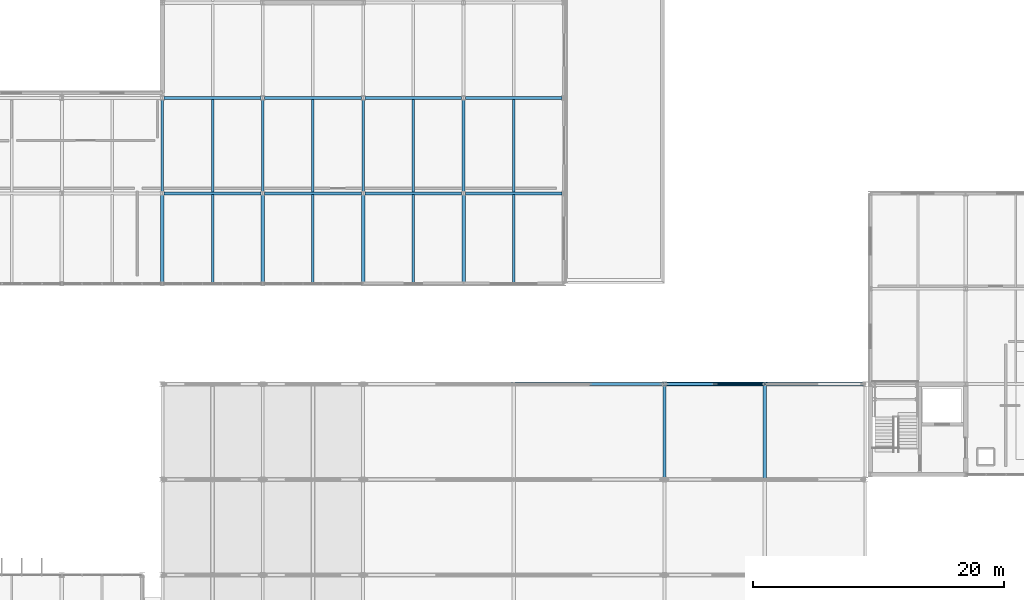
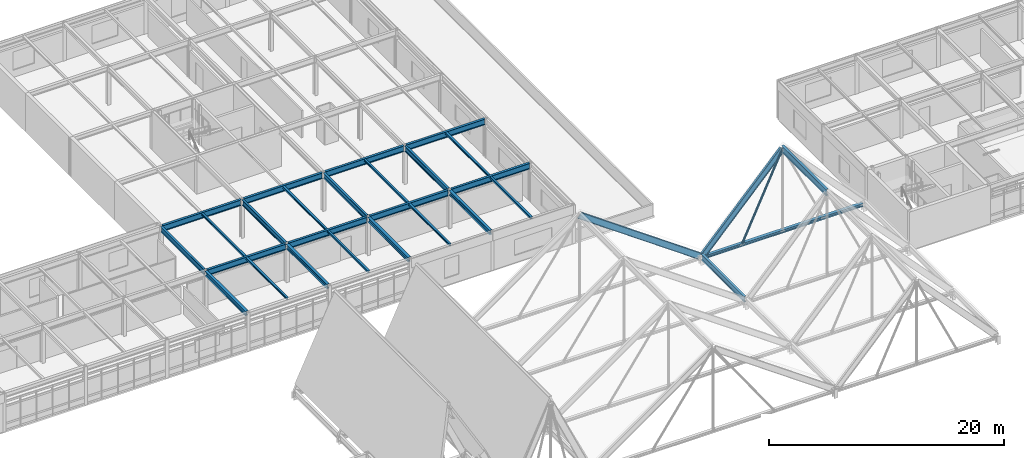
# One storey, part 46 of 85: 28 beams, 2 members.
"""IFC4 building model written with IfcOpenShell, lengths in metres."""

from ifc_helpers import new_model, si_unit, direction, frame, origin, origin_2d, place, context, subcontext, project, spatial, hollow_circle, i_section, extrude, material, material_profile, profile_set, type_object, element, save


model = new_model("IFC4")

# Units and contexts
model_context = context("Model", 3, precision=1e-05, world=origin(), true_north=direction((0.0, 1.0)))
body_context = subcontext(model_context, "Body", "Model", "MODEL_VIEW")
ifc_project = project(units=[si_unit("LENGTHUNIT", "METRE"), si_unit("AREAUNIT", "SQUARE_METRE"), si_unit("VOLUMEUNIT", "CUBIC_METRE"), si_unit("PLANEANGLEUNIT", "RADIAN"), si_unit("MASSUNIT", "GRAM", prefix="KILO")], contexts=[model_context])

# Site, building, storey
site_placement = place(None, origin())
site = spatial("IfcSite", under=ifc_project, at=site_placement, CompositionType="ELEMENT")
building_placement = place(site_placement, origin())
building = spatial("IfcBuilding", under=site, at=building_placement, Name="Zulena Civic Courthouse", CompositionType="ELEMENT")
storey_placement = place(building_placement, frame((0.0, 0.0, 25.199951171875)))
storey = spatial("IfcBuildingStorey", under=building, at=storey_placement, Name="L05", CompositionType="ELEMENT", Elevation=25.199951171875)

# Member
ifc_material_1 = material(Name="Steel ASTM A992 Grade 50", Category="steel")
ifc_material_profile_1 = material_profile(ifc_material_1, i_section(OverallWidth=0.30908203125, OverallDepth=0.322998046875, WebThickness=0.013916015625, FlangeThickness=0.02294921875, FilletRadius=0.01513671875, at=origin_2d()), Name="W12X96")
ifc_profile_set_1 = profile_set([ifc_material_profile_1], Name="Steel ASTM A992 Grade 50")
member_type_1 = type_object("IfcMemberType", Name="Chord_W12X96", PredefinedType="CHORD", material=ifc_profile_set_1)
member_1_placement = place(storey_placement, frame((108.139892578125, 38.0, 0.496337890625), z_axis=(1.0, 0.0, 0.0), x_axis=(0.0, 1.0, 0.0)))
element("IfcMember", 1, at=member_1_placement, inside=storey, type_object=member_type_1, Name="mem:fold:tie:04:38.0", PredefinedType="CHORD", context=body_context, shape_type="SweptSolid", body=[
    extrude(i_section(OverallWidth=0.30908203125, OverallDepth=0.322998046875, WebThickness=0.013916015625, FlangeThickness=0.02294921875, FilletRadius=0.01513671875, at=origin_2d()), origin(), (0.0, 0.0, 1.0), 15.72021484375),
])

# Beams
ifc_material_profile_2 = material_profile(ifc_material_1, i_section(OverallWidth=0.214111328125, OverallDepth=0.549072265625, WebThickness=0.0146484375, FlangeThickness=0.023681640625, FilletRadius=0.0126953125, at=origin_2d()), Name="W21X93")
ifc_profile_set_2 = profile_set([ifc_material_profile_2], Name="Steel ASTM A992 Grade 50")
beam_type_1 = type_object("IfcBeamType", Name="Girder_W21X93", PredefinedType="BEAM", material=ifc_profile_set_2)
for number, where, z_axis, x_axis, name in (
    (2, (68.0, 53.344970703125, 3.720458984375), (0.0, 1.0, 0.0), (-1.0, 0.0, 0.0), "beam:Y:V5:L05:68.0:53.2_60.8"),
    (3, (76.0, 53.344970703125, 3.720458984375), (0.0, 1.0, 0.0), (-1.0, 0.0, 0.0), "beam:Y:V5:L05:76.0:53.2_60.8"),
    (4, (84.0, 53.344970703125, 3.720458984375), (0.0, 1.0, 0.0), (-1.0, 0.0, 0.0), "beam:Y:V5:L05:84.0:53.2_60.8"),
    (5, (92.0, 53.344970703125, 3.720458984375), (0.0, 1.0, 0.0), (-1.0, 0.0, 0.0), "beam:Y:V5:L05:92.0:53.2_60.8"),
):
    element("IfcBeam", number, at=place(storey_placement, frame(where, z_axis=z_axis, x_axis=x_axis)), inside=storey, type_object=beam_type_1, Name=name, PredefinedType="BEAM", context=body_context, shape_type="SweptSolid", body=[
        extrude(i_section(OverallWidth=0.214111328125, OverallDepth=0.549072265625, WebThickness=0.0146484375, FlangeThickness=0.023681640625, FilletRadius=0.0126953125, at=origin_2d()), origin(), (0.0, 0.0, 1.0), 7.31005859375),
    ])
ifc_material_profile_3 = material_profile(ifc_material_1, i_section(OverallWidth=0.22802734375, OverallDepth=0.60693359375, WebThickness=0.01123046875, FlangeThickness=0.017333984375, FilletRadius=0.0126953125, at=origin_2d()), Name="W24X76")
ifc_profile_set_3 = profile_set([ifc_material_profile_3], Name="Steel ASTM A992 Grade 50")
beam_type_2 = type_object("IfcBeamType", Name="Girder_W24X76", PredefinedType="BEAM", material=ifc_profile_set_3)
for number, where, z_axis, x_axis, name in (
    (6, (68.14501953125, 53.199951171875, 3.691650390625), (1.0, 0.0, 0.0), (0.0, 1.0, 0.0), "beam:X:V5:L05:53.2:68.0_76.0"),
    (7, (76.14501953125, 53.199951171875, 3.691650390625), (1.0, 0.0, 0.0), (0.0, 1.0, 0.0), "beam:X:V5:L05:53.2:76.0_84.0"),
    (8, (84.14501953125, 53.199951171875, 3.691650390625), (1.0, 0.0, 0.0), (0.0, 1.0, 0.0), "beam:X:V5:L05:53.2:84.0_92.0"),
    (9, (92.14501953125, 53.199951171875, 3.691650390625), (1.0, 0.0, 0.0), (0.0, 1.0, 0.0), "beam:X:V5:L05:53.2:92.0_100.0"),
    (10, (68.14501953125, 60.800048828125, 3.691650390625), (1.0, 0.0, 0.0), (0.0, 1.0, 0.0), "beam:X:V5:L05:60.8:68.0_76.0"),
    (11, (76.14501953125, 60.800048828125, 3.691650390625), (1.0, 0.0, 0.0), (0.0, 1.0, 0.0), "beam:X:V5:L05:60.8:76.0_84.0"),
    (12, (84.14501953125, 60.800048828125, 3.691650390625), (1.0, 0.0, 0.0), (0.0, 1.0, 0.0), "beam:X:V5:L05:60.8:84.0_92.0"),
    (13, (92.14501953125, 60.800048828125, 3.691650390625), (1.0, 0.0, 0.0), (0.0, 1.0, 0.0), "beam:X:V5:L05:60.8:92.0_100.0"),
):
    element("IfcBeam", number, at=place(storey_placement, frame(where, z_axis=z_axis, x_axis=x_axis)), inside=storey, type_object=beam_type_2, Name=name, PredefinedType="BEAM", context=body_context, shape_type="SweptSolid", body=[
        extrude(i_section(OverallWidth=0.22802734375, OverallDepth=0.60693359375, WebThickness=0.01123046875, FlangeThickness=0.017333984375, FilletRadius=0.0126953125, at=origin_2d()), origin(), (0.0, 0.0, 1.0), 7.7099609375),
    ])
ifc_material_profile_4 = material_profile(ifc_material_1, i_section(OverallWidth=0.202880859375, OverallDepth=0.202880859375, WebThickness=0.007080078125, FlangeThickness=0.010986328125, FilletRadius=0.007568359375, at=origin_2d()), Name="W8X31")
ifc_profile_set_4 = profile_set([ifc_material_profile_4], Name="Steel ASTM A992 Grade 50")
beam_type_3 = type_object("IfcBeamType", Name="Joist_W8X31", PredefinedType="JOIST", material=ifc_profile_set_4)
beam_1_placement = place(storey_placement, frame((72.0, 46.10498046875, 3.8935546875), z_axis=(0.0, 1.0, 0.0), x_axis=(-1.0, 0.0, 0.0)))
element("IfcBeam", 14, at=beam_1_placement, inside=storey, type_object=beam_type_3, Name="joist:V5:L05:72.00:46.0_53.2", PredefinedType="JOIST", context=body_context, shape_type="SweptSolid", body=[
    extrude(i_section(OverallWidth=0.202880859375, OverallDepth=0.202880859375, WebThickness=0.007080078125, FlangeThickness=0.010986328125, FilletRadius=0.007568359375, at=origin_2d()), origin(), (0.0, 0.0, 1.0), 6.989990234375),
])
beam_2_placement = place(storey_placement, frame((72.0, 53.304931640625, 3.8935546875), z_axis=(0.0, 1.0, 0.0), x_axis=(-1.0, 0.0, 0.0)))
element("IfcBeam", 15, at=beam_2_placement, inside=storey, type_object=beam_type_3, Name="joist:V5:L05:72.00:53.2_60.8", PredefinedType="JOIST", context=body_context, shape_type="SweptSolid", body=[
    extrude(i_section(OverallWidth=0.202880859375, OverallDepth=0.202880859375, WebThickness=0.007080078125, FlangeThickness=0.010986328125, FilletRadius=0.007568359375, at=origin_2d()), origin(), (0.0, 0.0, 1.0), 7.39013671875),
])
beam_3_placement = place(storey_placement, frame((80.0, 46.10498046875, 3.8935546875), z_axis=(0.0, 1.0, 0.0), x_axis=(-1.0, 0.0, 0.0)))
element("IfcBeam", 16, at=beam_3_placement, inside=storey, type_object=beam_type_3, Name="joist:V5:L05:80.00:46.0_53.2", PredefinedType="JOIST", context=body_context, shape_type="SweptSolid", body=[
    extrude(i_section(OverallWidth=0.202880859375, OverallDepth=0.202880859375, WebThickness=0.007080078125, FlangeThickness=0.010986328125, FilletRadius=0.007568359375, at=origin_2d()), origin(), (0.0, 0.0, 1.0), 6.989990234375),
])
beam_4_placement = place(storey_placement, frame((80.0, 53.304931640625, 3.8935546875), z_axis=(0.0, 1.0, 0.0), x_axis=(-1.0, 0.0, 0.0)))
element("IfcBeam", 17, at=beam_4_placement, inside=storey, type_object=beam_type_3, Name="joist:V5:L05:80.00:53.2_60.8", PredefinedType="JOIST", context=body_context, shape_type="SweptSolid", body=[
    extrude(i_section(OverallWidth=0.202880859375, OverallDepth=0.202880859375, WebThickness=0.007080078125, FlangeThickness=0.010986328125, FilletRadius=0.007568359375, at=origin_2d()), origin(), (0.0, 0.0, 1.0), 7.39013671875),
])
beam_5_placement = place(storey_placement, frame((88.0, 46.10498046875, 3.8935546875), z_axis=(0.0, 1.0, 0.0), x_axis=(-1.0, 0.0, 0.0)))
element("IfcBeam", 18, at=beam_5_placement, inside=storey, type_object=beam_type_3, Name="joist:V5:L05:88.00:46.0_53.2", PredefinedType="JOIST", context=body_context, shape_type="SweptSolid", body=[
    extrude(i_section(OverallWidth=0.202880859375, OverallDepth=0.202880859375, WebThickness=0.007080078125, FlangeThickness=0.010986328125, FilletRadius=0.007568359375, at=origin_2d()), origin(), (0.0, 0.0, 1.0), 6.989990234375),
])
beam_6_placement = place(storey_placement, frame((88.0, 53.304931640625, 3.8935546875), z_axis=(0.0, 1.0, 0.0), x_axis=(-1.0, 0.0, 0.0)))
element("IfcBeam", 19, at=beam_6_placement, inside=storey, type_object=beam_type_3, Name="joist:V5:L05:88.00:53.2_60.8", PredefinedType="JOIST", context=body_context, shape_type="SweptSolid", body=[
    extrude(i_section(OverallWidth=0.202880859375, OverallDepth=0.202880859375, WebThickness=0.007080078125, FlangeThickness=0.010986328125, FilletRadius=0.007568359375, at=origin_2d()), origin(), (0.0, 0.0, 1.0), 7.39013671875),
])
beam_7_placement = place(storey_placement, frame((96.0, 46.10498046875, 3.8935546875), z_axis=(0.0, 1.0, 0.0), x_axis=(-1.0, 0.0, 0.0)))
element("IfcBeam", 20, at=beam_7_placement, inside=storey, type_object=beam_type_3, Name="joist:V5:L05:96.00:46.0_53.2", PredefinedType="JOIST", context=body_context, shape_type="SweptSolid", body=[
    extrude(i_section(OverallWidth=0.202880859375, OverallDepth=0.202880859375, WebThickness=0.007080078125, FlangeThickness=0.010986328125, FilletRadius=0.007568359375, at=origin_2d()), origin(), (0.0, 0.0, 1.0), 6.989990234375),
])
beam_8_placement = place(storey_placement, frame((96.0, 53.304931640625, 3.8935546875), z_axis=(0.0, 1.0, 0.0), x_axis=(-1.0, 0.0, 0.0)))
element("IfcBeam", 21, at=beam_8_placement, inside=storey, type_object=beam_type_3, Name="joist:V5:L05:96.00:53.2_60.8", PredefinedType="JOIST", context=body_context, shape_type="SweptSolid", body=[
    extrude(i_section(OverallWidth=0.202880859375, OverallDepth=0.202880859375, WebThickness=0.007080078125, FlangeThickness=0.010986328125, FilletRadius=0.007568359375, at=origin_2d()), origin(), (0.0, 0.0, 1.0), 7.39013671875),
])
ifc_material_profile_5 = material_profile(ifc_material_1, i_section(OverallWidth=0.22802734375, OverallDepth=0.60693359375, WebThickness=0.01123046875, FlangeThickness=0.017333984375, FilletRadius=0.0126953125, at=origin_2d()), Name="W24X76")
ifc_profile_set_5 = profile_set([ifc_material_profile_5], Name="Steel ASTM A992 Grade 50")
beam_type_4 = type_object("IfcBeamType", Name="RoofRafter_W24X76", PredefinedType="BEAM", material=ifc_profile_set_5)
beam_9_placement = place(storey_placement, frame((96.010009765625, 38.0, 9.096435546875), z_axis=(0.815826895682, 0.0, -0.578296183873), x_axis=(0.0, 1.0, 0.0)))
element("IfcBeam", 22, at=beam_9_placement, inside=storey, type_object=beam_type_4, Name="beam:fold:rafE:03:38.0", PredefinedType="BEAM", context=body_context, shape_type="SweptSolid", body=[
    extrude(i_section(OverallWidth=0.22802734375, OverallDepth=0.60693359375, WebThickness=0.01123046875, FlangeThickness=0.017333984375, FilletRadius=0.0126953125, at=origin_2d()), origin(), (0.0, 0.0, 1.0), 14.525146484375),
])
beam_10_placement = place(storey_placement, frame((108.0, 30.5400390625, 0.696533203125), z_axis=(0.0, 1.0, 0.0), x_axis=(-1.0, 0.0, 0.0)))
element("IfcBeam", 23, at=beam_10_placement, inside=storey, type_object=beam_type_4, Name="beam:fold:val:L05:108.0:30.4", PredefinedType="BEAM", context=body_context, shape_type="SweptSolid", body=[
    extrude(i_section(OverallWidth=0.22802734375, OverallDepth=0.60693359375, WebThickness=0.01123046875, FlangeThickness=0.017333984375, FilletRadius=0.0126953125, at=origin_2d()), origin(), (0.0, 0.0, 1.0), 7.320068359375),
])
beam_11_placement = place(storey_placement, frame((108.139892578125, 38.0, 0.65625), z_axis=(0.682781141332, 0.0, 0.730622962301), x_axis=(0.0, 1.0, 0.0)))
element("IfcBeam", 24, at=beam_11_placement, inside=storey, type_object=beam_type_4, Name="beam:fold:rafW:04:38.0", PredefinedType="BEAM", context=body_context, shape_type="SweptSolid", body=[
    extrude(i_section(OverallWidth=0.22802734375, OverallDepth=0.60693359375, WebThickness=0.01123046875, FlangeThickness=0.017333984375, FilletRadius=0.0126953125, at=origin_2d()), origin(), (0.0, 0.0, 1.0), 11.497314453125),
])
ifc_material_profile_6 = material_profile(ifc_material_1, i_section(OverallWidth=0.25390625, OverallDepth=0.68798828125, WebThickness=0.01318359375, FlangeThickness=0.02099609375, FilletRadius=0.0166015625, at=origin_2d()), Name="W27X102")
ifc_profile_set_6 = profile_set([ifc_material_profile_6], Name="Steel ASTM A992 Grade 50")
beam_type_5 = type_object("IfcBeamType", Name="RoofRafter_W27X102", PredefinedType="BEAM", material=ifc_profile_set_6)
beam_12_placement = place(storey_placement, frame((116.0, 30.419921875, 9.056396484375), z_axis=(0.0, 1.0, 0.0), x_axis=(-1.0, 0.0, 0.0)))
element("IfcBeam", 25, at=beam_12_placement, inside=storey, type_object=beam_type_5, Name="beam:fold:ridge:04:30.4", PredefinedType="BEAM", context=body_context, shape_type="SweptSolid", body=[
    extrude(i_section(OverallWidth=0.25390625, OverallDepth=0.68798828125, WebThickness=0.01318359375, FlangeThickness=0.02099609375, FilletRadius=0.0166015625, at=origin_2d()), origin(), (0.0, 0.0, 1.0), 7.56005859375),
])

# Member
ifc_material_2 = material(Name="Steel ASTM A500 Grade C", Category="steel")
ifc_material_profile_7 = material_profile(ifc_material_2, hollow_circle(Radius=0.109619140625, WallThickness=0.0087890625, at=origin_2d()), Name="HSS8.625X0.375")
ifc_profile_set_7 = profile_set([ifc_material_profile_7], Name="Steel ASTM A500 Grade C")
member_type_2 = type_object("IfcMemberType", Name="RoofWeb_CHS8", PredefinedType="USERDEFINED", material=ifc_profile_set_7)
member_2_placement = place(storey_placement, frame((112.0, 38.0, 0.496337890625), z_axis=(0.423346552263, 0.0, 0.905967823208), x_axis=(0.0, 1.0, 0.0)))
element("IfcMember", 26, at=member_2_placement, inside=storey, type_object=member_type_2, Name="mem:fold:diagW:04:38.0", ObjectType="ROOF TRUSS", PredefinedType="USERDEFINED", context=body_context, shape_type="SweptSolid", body=[
    extrude(hollow_circle(Radius=0.109619140625, WallThickness=0.0087890625, at=origin_2d()), origin(), (0.0, 0.0, 1.0), 9.448486328125),
])

# Beams
ifc_material_profile_8 = material_profile(ifc_material_1, i_section(OverallWidth=0.280029296875, OverallDepth=0.462890625, WebThickness=0.0107421875, FlangeThickness=0.017333984375, FilletRadius=0.01025390625, at=origin_2d()), Name="W18X76")
ifc_profile_set_8 = profile_set([ifc_material_profile_8], Name="Steel ASTM A992 Grade 50")
beam_type_6 = type_object("IfcBeamType", Name="Spandrel_W18X76", PredefinedType="SPANDREL", material=ifc_profile_set_8)
for number, where, z_axis, x_axis, name in (
    (27, (68.0, 46.14501953125, 3.763427734375), (0.0, 1.0, 0.0), (-1.0, 0.0, 0.0), "beam:Y:V5:L05:68.0:46.0_53.2"),
    (28, (76.0, 46.14501953125, 3.763427734375), (0.0, 1.0, 0.0), (-1.0, 0.0, 0.0), "beam:Y:V5:L05:76.0:46.0_53.2"),
    (29, (84.0, 46.14501953125, 3.763427734375), (0.0, 1.0, 0.0), (-1.0, 0.0, 0.0), "beam:Y:V5:L05:84.0:46.0_53.2"),
    (30, (92.0, 46.14501953125, 3.763427734375), (0.0, 1.0, 0.0), (-1.0, 0.0, 0.0), "beam:Y:V5:L05:92.0:46.0_53.2"),
):
    element("IfcBeam", number, at=place(storey_placement, frame(where, z_axis=z_axis, x_axis=x_axis)), inside=storey, type_object=beam_type_6, Name=name, PredefinedType="SPANDREL", context=body_context, shape_type="SweptSolid", body=[
        extrude(i_section(OverallWidth=0.280029296875, OverallDepth=0.462890625, WebThickness=0.0107421875, FlangeThickness=0.017333984375, FilletRadius=0.01025390625, at=origin_2d()), origin(), (0.0, 0.0, 1.0), 6.909912109375),
    ])

save(model, "model.ifc")
